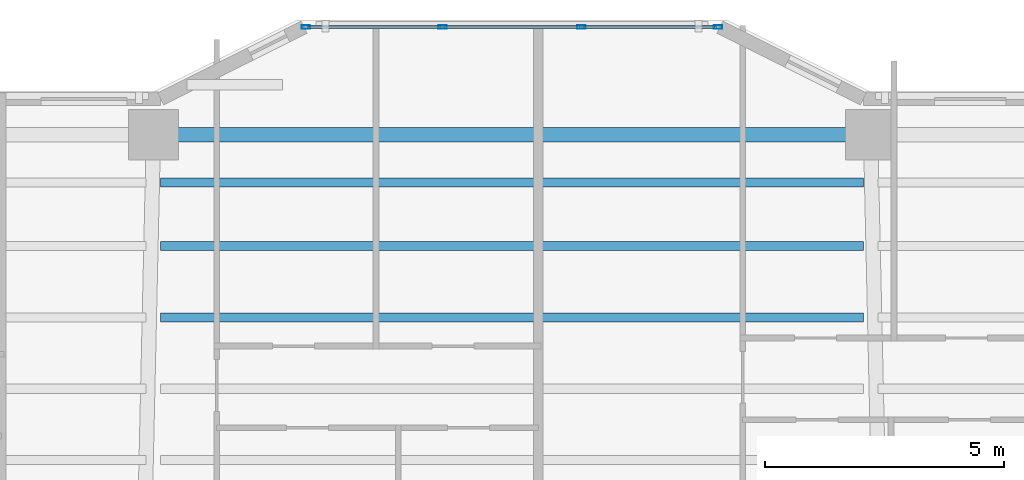
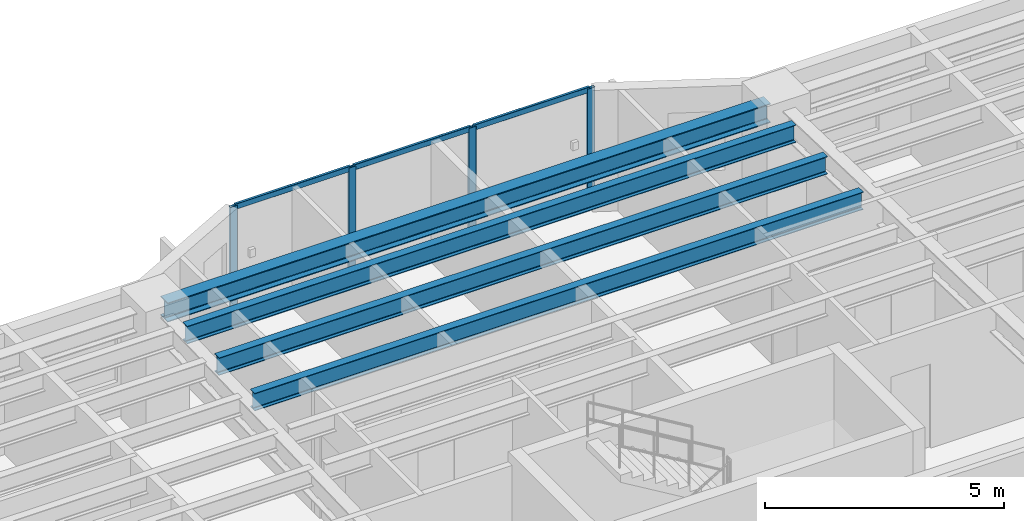
# One storey, part 4 of 19: 10 members, 4 beams, 1 element without a shape of its own.
"""IFC4 building model written with IfcOpenShell, lengths in metres."""

from ifc_helpers import new_model, si_unit, direction, frame, origin, origin_2d, place, context, subcontext, project, spatial, hollow_rectangle, i_section, extrude, material, layer, layer_set, material_profile, profile_set, type_object, element, aggregate, save


model = new_model("IFC4")

# Units and contexts
model_context = context("Model", 3, precision=1e-05, world=origin(), true_north=direction((0.0, 1.0)))
body_context = subcontext(model_context, "Body", "Model", "MODEL_VIEW")
ifc_project = project(units=[si_unit("LENGTHUNIT", "METRE"), si_unit("AREAUNIT", "SQUARE_METRE"), si_unit("VOLUMEUNIT", "CUBIC_METRE"), si_unit("PLANEANGLEUNIT", "RADIAN"), si_unit("MASSUNIT", "GRAM", prefix="KILO")], contexts=[model_context])

# Site, building, storey
site_placement = place(None, origin())
site = spatial("IfcSite", under=ifc_project, at=site_placement, CompositionType="ELEMENT")
building_placement = place(site_placement, origin())
building = spatial("IfcBuilding", under=site, at=building_placement, Name="Tarnavaz Court Tower", CompositionType="ELEMENT")
storey_placement = place(building_placement, frame((0.0, 0.0, 78.300048828125)))
storey = spatial("IfcBuildingStorey", under=building, at=storey_placement, Name="L20", CompositionType="ELEMENT", Elevation=78.300048828125)

# Beams
ifc_material_1 = material(Name="Steel S355", Category="steel")
ifc_material_profile_1 = material_profile(ifc_material_1, i_section(OverallWidth=0.18994140625, OverallDepth=0.449951171875, WebThickness=0.009521484375, FlangeThickness=0.0146484375, FilletRadius=0.02099609375, at=origin_2d()), Name="IPE 450")
ifc_profile_set_1 = profile_set([ifc_material_profile_1], Name="Steel S355")
beam_type_1 = type_object("IfcBeamType", Name="BM-J-IPE450", PredefinedType="JOIST", material=ifc_profile_set_1)
for number, where, z_axis, x_axis, name in (
    (1, (-7.35009765625, 17.48193359375, 2.875), (1.0, 0.0, 0.0), (0.0, 1.0, 0.0), "L20 Beam JN3-2"),
    (2, (-7.35009765625, 18.97607421875, 2.875), (1.0, 0.0, 0.0), (0.0, 1.0, 0.0), "L20 Beam JN4-2"),
    (3, (-7.35009765625, 20.303955078125, 2.875), (1.0, 0.0, 0.0), (0.0, 1.0, 0.0), "L20 Beam JN5-2"),
):
    element("IfcBeam", number, at=place(storey_placement, frame(where, z_axis=z_axis, x_axis=x_axis)), inside=storey, type_object=beam_type_1, Name=name, PredefinedType="JOIST", context=body_context, shape_type="SweptSolid", body=[
        extrude(i_section(OverallWidth=0.18994140625, OverallDepth=0.449951171875, WebThickness=0.009521484375, FlangeThickness=0.0146484375, FilletRadius=0.02099609375, at=origin_2d()), origin(), (0.0, 0.0, 1.0), 14.7001953125),
    ])
ifc_material_profile_2 = material_profile(ifc_material_1, i_section(OverallWidth=0.300048828125, OverallDepth=0.489990234375, WebThickness=0.011962890625, FlangeThickness=0.02294921875, FilletRadius=0.027099609375, at=origin_2d()), Name="HEA 500")
ifc_profile_set_2 = profile_set([ifc_material_profile_2], Name="Steel S355")
beam_type_2 = type_object("IfcBeamType", Name="BM-SP-HEA500", PredefinedType="SPANDREL", material=ifc_profile_set_2)
beam_placement = place(storey_placement, frame((-7.280029296875, 21.300048828125, 2.85498046875), z_axis=(1.0, 0.0, 0.0), x_axis=(0.0, 1.0, 0.0)))
element("IfcBeam", 4, at=beam_placement, inside=storey, type_object=beam_type_2, Name="L20 Beam PR-PN-2-PN-3", PredefinedType="SPANDREL", context=body_context, shape_type="SweptSolid", body=[
    extrude(i_section(OverallWidth=0.300048828125, OverallDepth=0.489990234375, WebThickness=0.011962890625, FlangeThickness=0.02294921875, FilletRadius=0.027099609375, at=origin_2d()), origin(), (0.0, 0.0, 1.0), 14.56005859375),
])

# Curtain wall, members
ifc_material_2 = material(Name="Anodised Aluminium 6063-T6 and Solar Low-E Glazing", Category="aluminium")
ifc_layer = layer(ifc_material_2, 0.179931640625)
ifc_layer_set = layer_set([ifc_layer], Name="Anodised Aluminium 6063-T6 and Solar Low-E Glazing")
curtain_wall_type = type_object("IfcCurtainWallType", Name="CW-SYS-02", PredefinedType="NOTDEFINED", material=ifc_layer_set)
curtain_wall_placement = place(storey_placement, origin())
curtain_wall = element("IfcCurtainWall", 5, at=curtain_wall_placement, inside=storey, type_object=curtain_wall_type, Name="L20 Iwan Prow Curtain Wall 7", PredefinedType="NOTDEFINED")
ifc_material_3 = material(Name="Anodised Aluminium 6063-T6", Category="aluminium")
ifc_material_profile_3 = material_profile(ifc_material_3, hollow_rectangle(XDim=0.074951171875, YDim=0.179931640625, WallThickness=0.0048828125, InnerFilletRadius=0.0048828125, OuterFilletRadius=0.010009765625, at=origin_2d()), Name="ALU RHS 180X75X5")
ifc_profile_set_3 = profile_set([ifc_material_profile_3], Name="Anodised Aluminium 6063-T6")
member_type_1 = type_object("IfcMemberType", Name="CW-MUL-180", PredefinedType="MULLION", material=ifc_profile_set_3)
member_1_placement = place(storey_placement, frame((-4.3125, 23.550048828125, 0.0), z_axis=(0.0, 0.0, 1.0), x_axis=(0.0, 1.0, 0.0)))
member_1 = element("IfcMember", 6, at=member_1_placement, type_object=member_type_1, Name="CW mullion 1", PredefinedType="MULLION", context=body_context, shape_type="SweptSolid", body=[
    extrude(hollow_rectangle(XDim=0.074951171875, YDim=0.179931640625, WallThickness=0.0048828125, InnerFilletRadius=0.0048828125, OuterFilletRadius=0.010009765625, at=origin_2d()), origin(), (0.0, 0.0, 1.0), 3.099853515625),
])
member_2_placement = place(storey_placement, frame((-1.449951171875, 23.550048828125, 0.0), z_axis=(0.0, 0.0, 1.0), x_axis=(0.0, 1.0, 0.0)))
member_2 = element("IfcMember", 7, at=member_2_placement, type_object=member_type_1, Name="CW mullion 2", PredefinedType="MULLION", context=body_context, shape_type="SweptSolid", body=[
    extrude(hollow_rectangle(XDim=0.074951171875, YDim=0.179931640625, WallThickness=0.0048828125, InnerFilletRadius=0.0048828125, OuterFilletRadius=0.010009765625, at=origin_2d()), origin(), (0.0, 0.0, 1.0), 3.099853515625),
])
member_3_placement = place(storey_placement, frame((1.449951171875, 23.550048828125, 0.0), z_axis=(0.0, 0.0, 1.0), x_axis=(0.0, 1.0, 0.0)))
member_3 = element("IfcMember", 8, at=member_3_placement, type_object=member_type_1, Name="CW mullion 3", PredefinedType="MULLION", context=body_context, shape_type="SweptSolid", body=[
    extrude(hollow_rectangle(XDim=0.074951171875, YDim=0.179931640625, WallThickness=0.0048828125, InnerFilletRadius=0.0048828125, OuterFilletRadius=0.010009765625, at=origin_2d()), origin(), (0.0, 0.0, 1.0), 3.099853515625),
])
member_4_placement = place(storey_placement, frame((4.3125, 23.550048828125, 0.0), z_axis=(0.0, 0.0, 1.0), x_axis=(0.0, 1.0, 0.0)))
member_4 = element("IfcMember", 9, at=member_4_placement, type_object=member_type_1, Name="CW mullion 4", PredefinedType="MULLION", context=body_context, shape_type="SweptSolid", body=[
    extrude(hollow_rectangle(XDim=0.074951171875, YDim=0.179931640625, WallThickness=0.0048828125, InnerFilletRadius=0.0048828125, OuterFilletRadius=0.010009765625, at=origin_2d()), origin(), (0.0, 0.0, 1.0), 3.099853515625),
])
ifc_material_profile_4 = material_profile(ifc_material_3, hollow_rectangle(XDim=0.06494140625, YDim=0.139892578125, WallThickness=0.00390625, InnerFilletRadius=0.00390625, OuterFilletRadius=0.008056640625, at=origin_2d()), Name="ALU RHS 140X65X4")
ifc_profile_set_4 = profile_set([ifc_material_profile_4], Name="Anodised Aluminium 6063-T6")
member_type_2 = type_object("IfcMemberType", Name="CW-TRN-140", PredefinedType="USERDEFINED", material=ifc_profile_set_4)
member_5_placement = place(storey_placement, frame((-4.27490234375, 23.550048828125, 0.032470703125), z_axis=(1.0, 0.0, 0.0), x_axis=(0.0, 1.0, 0.0)))
member_5 = element("IfcMember", 10, at=member_5_placement, type_object=member_type_2, Name="CW transom 1.1", ObjectType="TRANSOM", PredefinedType="USERDEFINED", context=body_context, shape_type="SweptSolid", body=[
    extrude(hollow_rectangle(XDim=0.06494140625, YDim=0.139892578125, WallThickness=0.00390625, InnerFilletRadius=0.00390625, OuterFilletRadius=0.008056640625, at=origin_2d()), origin(), (0.0, 0.0, 1.0), 2.787353515625),
])
member_6_placement = place(storey_placement, frame((-4.27490234375, 23.550048828125, 3.0673828125), z_axis=(1.0, 0.0, 0.0), x_axis=(0.0, 1.0, 0.0)))
member_6 = element("IfcMember", 11, at=member_6_placement, type_object=member_type_2, Name="CW transom 1.2", ObjectType="TRANSOM", PredefinedType="USERDEFINED", context=body_context, shape_type="SweptSolid", body=[
    extrude(hollow_rectangle(XDim=0.06494140625, YDim=0.139892578125, WallThickness=0.00390625, InnerFilletRadius=0.00390625, OuterFilletRadius=0.008056640625, at=origin_2d()), origin(), (0.0, 0.0, 1.0), 2.787353515625),
])
member_7_placement = place(storey_placement, frame((-1.41259765625, 23.550048828125, 0.032470703125), z_axis=(1.0, 0.0, 0.0), x_axis=(0.0, 1.0, 0.0)))
member_7 = element("IfcMember", 12, at=member_7_placement, type_object=member_type_2, Name="CW transom 2.1", ObjectType="TRANSOM", PredefinedType="USERDEFINED", context=body_context, shape_type="SweptSolid", body=[
    extrude(hollow_rectangle(XDim=0.06494140625, YDim=0.139892578125, WallThickness=0.00390625, InnerFilletRadius=0.00390625, OuterFilletRadius=0.008056640625, at=origin_2d()), origin(), (0.0, 0.0, 1.0), 2.8251953125),
])
member_8_placement = place(storey_placement, frame((-1.41259765625, 23.550048828125, 3.0673828125), z_axis=(1.0, 0.0, 0.0), x_axis=(0.0, 1.0, 0.0)))
member_8 = element("IfcMember", 13, at=member_8_placement, type_object=member_type_2, Name="CW transom 2.2", ObjectType="TRANSOM", PredefinedType="USERDEFINED", context=body_context, shape_type="SweptSolid", body=[
    extrude(hollow_rectangle(XDim=0.06494140625, YDim=0.139892578125, WallThickness=0.00390625, InnerFilletRadius=0.00390625, OuterFilletRadius=0.008056640625, at=origin_2d()), origin(), (0.0, 0.0, 1.0), 2.8251953125),
])
member_9_placement = place(storey_placement, frame((1.487548828125, 23.550048828125, 0.032470703125), z_axis=(1.0, 0.0, 0.0), x_axis=(0.0, 1.0, 0.0)))
member_9 = element("IfcMember", 14, at=member_9_placement, type_object=member_type_2, Name="CW transom 3.1", ObjectType="TRANSOM", PredefinedType="USERDEFINED", context=body_context, shape_type="SweptSolid", body=[
    extrude(hollow_rectangle(XDim=0.06494140625, YDim=0.139892578125, WallThickness=0.00390625, InnerFilletRadius=0.00390625, OuterFilletRadius=0.008056640625, at=origin_2d()), origin(), (0.0, 0.0, 1.0), 2.787353515625),
])
member_10_placement = place(storey_placement, frame((1.487548828125, 23.550048828125, 3.0673828125), z_axis=(1.0, 0.0, 0.0), x_axis=(0.0, 1.0, 0.0)))
member_10 = element("IfcMember", 15, at=member_10_placement, type_object=member_type_2, Name="CW transom 3.2", ObjectType="TRANSOM", PredefinedType="USERDEFINED", context=body_context, shape_type="SweptSolid", body=[
    extrude(hollow_rectangle(XDim=0.06494140625, YDim=0.139892578125, WallThickness=0.00390625, InnerFilletRadius=0.00390625, OuterFilletRadius=0.008056640625, at=origin_2d()), origin(), (0.0, 0.0, 1.0), 2.787353515625),
])
aggregate(curtain_wall, [member_1, member_2, member_3, member_4, member_5, member_6, member_7, member_8, member_9, member_10])

save(model, "model.ifc")
